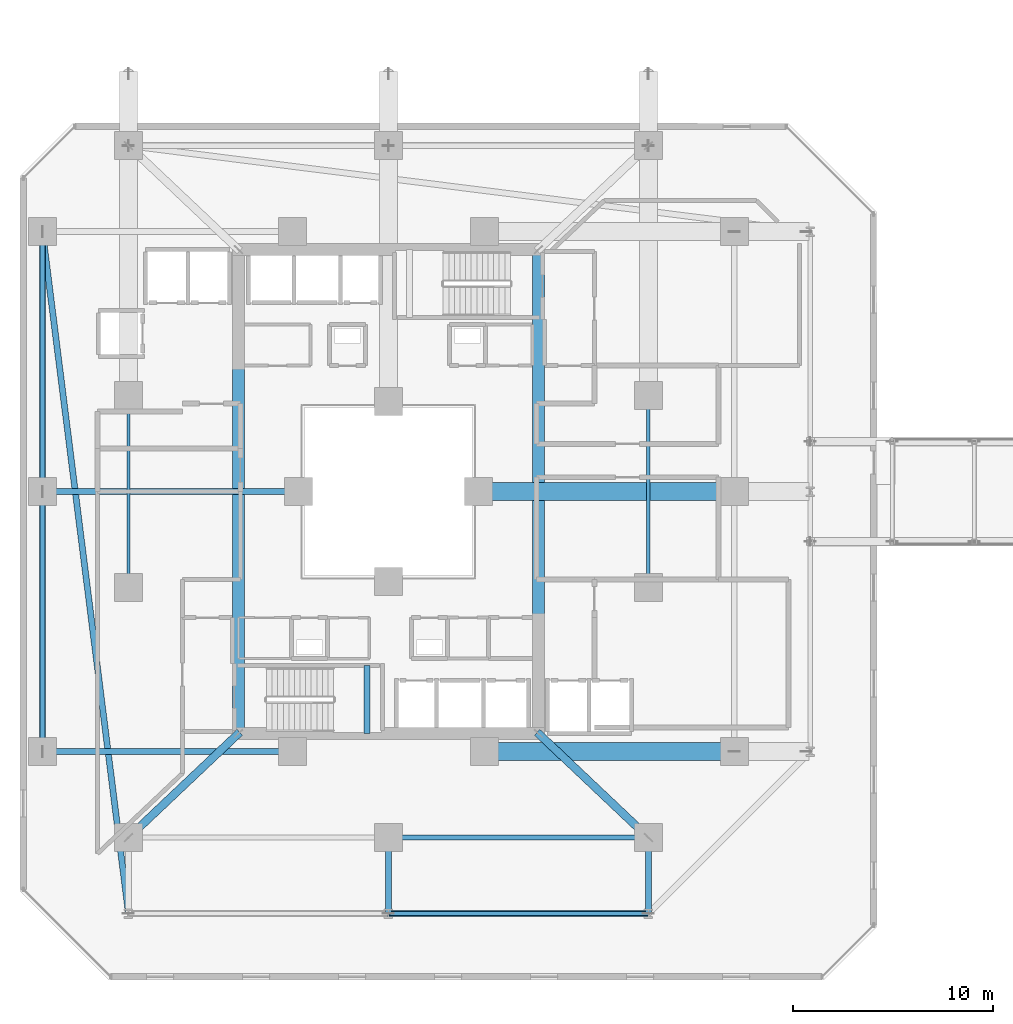
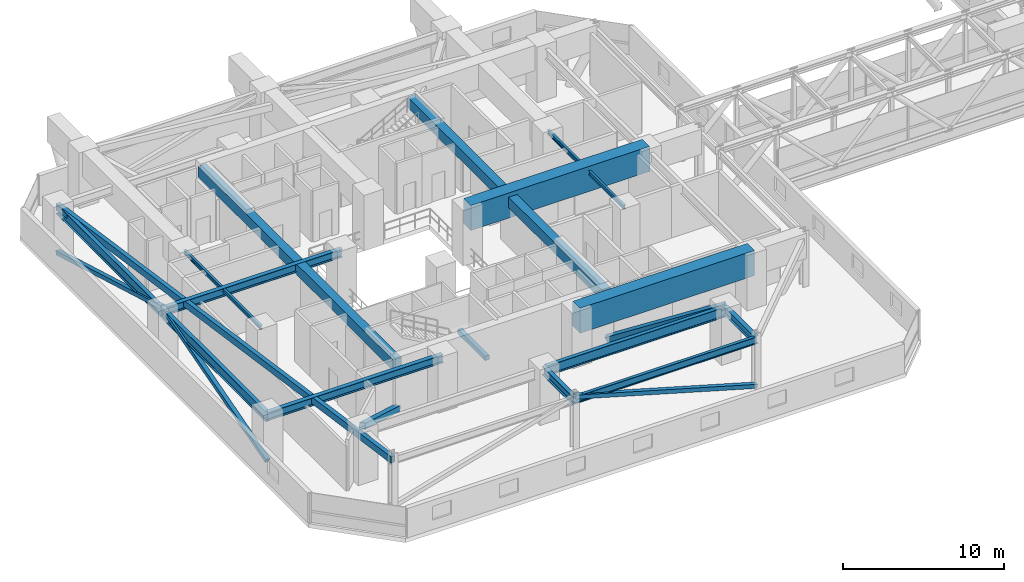
# One storey, part 4 of 38: 16 beams, 5 members.
"""IFC4 building model written with IfcOpenShell, lengths in metres."""

from ifc_helpers import new_model, si_unit, direction, frame, origin, origin_2d, place, context, subcontext, project, spatial, rectangle, hollow_rectangle, i_section, extrude, material, material_profile, profile_set, type_object, element, save


model = new_model("IFC4")

# Units and contexts
model_context = context("Model", 3, precision=1e-05, world=origin(), true_north=direction((0.0, 1.0)))
body_context = subcontext(model_context, "Body", "Model", "MODEL_VIEW")
ifc_project = project(units=[si_unit("LENGTHUNIT", "METRE"), si_unit("AREAUNIT", "SQUARE_METRE"), si_unit("VOLUMEUNIT", "CUBIC_METRE"), si_unit("PLANEANGLEUNIT", "RADIAN"), si_unit("MASSUNIT", "GRAM", prefix="KILO")], contexts=[model_context])

# Site, building, storey
site_placement = place(None, origin())
site = spatial("IfcSite", under=ifc_project, at=site_placement, CompositionType="ELEMENT")
building_placement = place(site_placement, origin())
building = spatial("IfcBuilding", under=site, at=building_placement, Name="Thornwick Lancets Civic Towers", CompositionType="ELEMENT")
storey_placement = place(building_placement, frame((0.0, 0.0, 71.699951171875)))
storey = spatial("IfcBuildingStorey", under=building, at=storey_placement, Name="L18", CompositionType="ELEMENT", Elevation=71.699951171875)

# Beams
ifc_material_1 = material(Name="Concrete C60/75", Category="concrete")
ifc_material_profile_1 = material_profile(ifc_material_1, rectangle(XDim=0.60009765625, YDim=0.800048828125, at=origin_2d()), Name="RC 600x800")
ifc_profile_set_1 = profile_set([ifc_material_profile_1], Name="Concrete C60/75")
beam_type_1 = type_object("IfcBeamType", Name="BM_COUP_RC800", PredefinedType="BEAM", material=ifc_profile_set_1)
for number, where, z_axis, x_axis, name in (
    (1, (33.0, 14.89990234375, 3.47998046875), (0.0, 1.0, 0.0), (-1.0, 0.0, 0.0), "CB-L18-A1"),
    (2, (18.0, 14.89990234375, 3.47998046875), (0.0, 1.0, 0.0), (-1.0, 0.0, 0.0), "CB-L18-A2"),
):
    element("IfcBeam", number, at=place(storey_placement, frame(where, z_axis=z_axis, x_axis=x_axis)), inside=storey, type_object=beam_type_1, Name=name, PredefinedType="BEAM", context=body_context, shape_type="SweptSolid", body=[
        extrude(rectangle(XDim=0.60009765625, YDim=0.800048828125, at=origin_2d()), origin(), (0.0, 0.0, 1.0), 24.2001953125),
    ])
ifc_material_2 = material(Name="Steel S355JR", Category="steel")
ifc_material_profile_2 = material_profile(ifc_material_2, i_section(OverallWidth=0.2119140625, OverallDepth=0.54443359375, WebThickness=0.0126953125, FlangeThickness=0.021240234375, FilletRadius=0.0126953125, at=origin_2d()), Name="UKB 533x210x122")
ifc_profile_set_2 = profile_set([ifc_material_profile_2], Name="Steel S355JR")
beam_type_2 = type_object("IfcBeamType", Name="BM_EDGE_533_122", PredefinedType="SPANDREL", material=ifc_profile_set_2)
beam_1_placement = place(storey_placement, frame((25.580078125, 5.89990234375, 3.607666015625), z_axis=(1.0, 0.0, 0.0), x_axis=(0.0, 1.0, 0.0)))
element("IfcBeam", 3, at=beam_1_placement, inside=storey, type_object=beam_type_2, Name="BM-EDGE-L18-A-S0-2", PredefinedType="SPANDREL", context=body_context, shape_type="SweptSolid", body=[
    extrude(i_section(OverallWidth=0.2119140625, OverallDepth=0.54443359375, WebThickness=0.0126953125, FlangeThickness=0.021240234375, FilletRadius=0.0126953125, at=origin_2d()), origin(), (0.0, 0.0, 1.0), 12.919921875),
])
ifc_material_profile_3 = material_profile(ifc_material_2, i_section(OverallWidth=0.30712890625, OverallDepth=0.6201171875, WebThickness=0.01416015625, FlangeThickness=0.023681640625, FilletRadius=0.0166015625, at=origin_2d()), Name="UKB 610x305x179")
ifc_profile_set_3 = profile_set([ifc_material_profile_3], Name="Steel S355JR")
beam_type_3 = type_object("IfcBeamType", Name="BM_GIRD_610_179", PredefinedType="BEAM", material=ifc_profile_set_3)
for number, where, z_axis, x_axis, name in (
    (4, (25.5, 9.699951171875, 3.570068359375), (0.0, -1.0, 0.0), (1.0, 0.0, 0.0), "BM-RAD-L18-A02"),
    (5, (38.5, 9.699951171875, 3.570068359375), (0.0, -1.0, 0.0), (1.0, 0.0, 0.0), "BM-RAD-L18-A03"),
):
    element("IfcBeam", number, at=place(storey_placement, frame(where, z_axis=z_axis, x_axis=x_axis)), inside=storey, type_object=beam_type_3, Name=name, PredefinedType="BEAM", context=body_context, shape_type="SweptSolid", body=[
        extrude(i_section(OverallWidth=0.30712890625, OverallDepth=0.6201171875, WebThickness=0.01416015625, FlangeThickness=0.023681640625, FilletRadius=0.0166015625, at=origin_2d()), origin(), (0.0, 0.0, 1.0), 3.800048828125),
    ])
beam_2_placement = place(storey_placement, frame((20.699951171875, 14.0, 3.570068359375), z_axis=(-1.0, 0.0, 0.0), x_axis=(0.0, -1.0, 0.0)))
element("IfcBeam", 6, at=beam_2_placement, inside=storey, type_object=beam_type_3, Name="BM-RADIN-L18-A10", PredefinedType="BEAM", context=body_context, shape_type="SweptSolid", body=[
    extrude(i_section(OverallWidth=0.30712890625, OverallDepth=0.6201171875, WebThickness=0.01416015625, FlangeThickness=0.023681640625, FilletRadius=0.0166015625, at=origin_2d()), origin(), (0.0, 0.0, 1.0), 12.5),
])
beam_3_placement = place(storey_placement, frame((21.0, 27.0, 3.570068359375), z_axis=(-1.0, 0.0, 0.0), x_axis=(0.0, -1.0, 0.0)))
element("IfcBeam", 7, at=beam_3_placement, inside=storey, type_object=beam_type_3, Name="BM-RADIN-L18-A11", PredefinedType="BEAM", context=body_context, shape_type="SweptSolid", body=[
    extrude(i_section(OverallWidth=0.30712890625, OverallDepth=0.6201171875, WebThickness=0.01416015625, FlangeThickness=0.023681640625, FilletRadius=0.0166015625, at=origin_2d()), origin(), (0.0, 0.0, 1.0), 12.800048828125),
])
ifc_material_profile_4 = material_profile(ifc_material_2, i_section(OverallWidth=0.26806640625, OverallDepth=0.769775390625, WebThickness=0.015625, FlangeThickness=0.025390625, FilletRadius=0.0166015625, at=origin_2d()), Name="UKB 762x267x197")
ifc_profile_set_4 = profile_set([ifc_material_profile_4], Name="Steel S355JR")
beam_type_4 = type_object("IfcBeamType", Name="BM_GIRD_762_197", PredefinedType="BEAM", material=ifc_profile_set_4)
beam_4_placement = place(storey_placement, frame((25.580078125, 9.699951171875, 3.4951171875), z_axis=(1.0, 0.0, 0.0), x_axis=(0.0, 1.0, 0.0)))
element("IfcBeam", 8, at=beam_4_placement, inside=storey, type_object=beam_type_4, Name="BM-SPINE-L18-A-1-2", PredefinedType="BEAM", context=body_context, shape_type="SweptSolid", body=[
    extrude(i_section(OverallWidth=0.26806640625, OverallDepth=0.769775390625, WebThickness=0.015625, FlangeThickness=0.025390625, FilletRadius=0.0166015625, at=origin_2d()), origin(), (0.0, 0.0, 1.0), 12.919921875),
])
beam_5_placement = place(storey_placement, frame((8.199951171875, 14.0, 3.4951171875), z_axis=(0.0, 1.0, 0.0), x_axis=(-1.0, 0.0, 0.0)))
element("IfcBeam", 9, at=beam_5_placement, inside=storey, type_object=beam_type_4, Name="BM-SPINE-L18-A-9-10", PredefinedType="BEAM", context=body_context, shape_type="SweptSolid", body=[
    extrude(i_section(OverallWidth=0.26806640625, OverallDepth=0.769775390625, WebThickness=0.015625, FlangeThickness=0.025390625, FilletRadius=0.0166015625, at=origin_2d()), origin(), (0.0, 0.0, 1.0), 13.0),
])
beam_6_placement = place(storey_placement, frame((8.199951171875, 27.080078125, 3.4951171875), z_axis=(0.0, 1.0, 0.0), x_axis=(-1.0, 0.0, 0.0)))
element("IfcBeam", 10, at=beam_6_placement, inside=storey, type_object=beam_type_4, Name="BM-SPINE-L18-A-10-11", PredefinedType="BEAM", context=body_context, shape_type="SweptSolid", body=[
    extrude(i_section(OverallWidth=0.26806640625, OverallDepth=0.769775390625, WebThickness=0.015625, FlangeThickness=0.025390625, FilletRadius=0.0166015625, at=origin_2d()), origin(), (0.0, 0.0, 1.0), 12.919921875),
])
ifc_material_profile_5 = material_profile(ifc_material_2, i_section(OverallWidth=0.1669921875, OverallDepth=0.310302734375, WebThickness=0.0078125, FlangeThickness=0.013671875, FilletRadius=0.0087890625, at=origin_2d()), Name="UKB 305x165x54")
ifc_profile_set_5 = profile_set([ifc_material_profile_5], Name="Steel S355JR")
beam_type_5 = type_object("IfcBeamType", Name="BM_LINTEL_305_54", PredefinedType="LINTEL", material=ifc_profile_set_5)
for number, where, z_axis, x_axis, name in (
    (11, (12.5, 22.199951171875, 3.724853515625), (0.0, 1.0, 0.0), (-1.0, 0.0, 0.0), "BM-INSP-L18-A-0-2"),
    (12, (38.5, 22.199951171875, 3.724853515625), (0.0, 1.0, 0.0), (-1.0, 0.0, 0.0), "BM-INSP-L18-A-1-3"),
):
    element("IfcBeam", number, at=place(storey_placement, frame(where, z_axis=z_axis, x_axis=x_axis)), inside=storey, type_object=beam_type_5, Name=name, PredefinedType="LINTEL", context=body_context, shape_type="SweptSolid", body=[
        extrude(i_section(OverallWidth=0.1669921875, OverallDepth=0.310302734375, WebThickness=0.0078125, FlangeThickness=0.013671875, FilletRadius=0.0087890625, at=origin_2d()), origin(), (0.0, 0.0, 1.0), 9.52001953125),
    ])
ifc_material_3 = material(Name="Steel S460M", Category="steel")
ifc_material_profile_6 = material_profile(ifc_material_3, hollow_rectangle(XDim=0.300048828125, YDim=0.5, WallThickness=0.02001953125, at=origin_2d()), Name="RHS 500x300x20")
ifc_profile_set_6 = profile_set([ifc_material_profile_6], Name="Steel S460M")
beam_type_6 = type_object("IfcBeamType", Name="BM_RING_RHS500", PredefinedType="BEAM", material=ifc_profile_set_6)
beam_7_placement = place(storey_placement, frame((8.199951171875, 40.0, 3.630126953125), z_axis=(0.12510998836, -0.992142878225, 0.0), x_axis=(0.992142878225, 0.12510998836, 0.0)))
element("IfcBeam", 13, at=beam_7_placement, inside=storey, type_object=beam_type_6, Name="BM-CHAMF-L18-A-C3", PredefinedType="BEAM", context=body_context, shape_type="SweptSolid", body=[
    extrude(hollow_rectangle(XDim=0.300048828125, YDim=0.5, WallThickness=0.02001953125, at=origin_2d()), origin(), (0.0, 0.0, 1.0), 34.3701171875),
])
ifc_material_4 = material(Name="Concrete C40/50", Category="concrete")
ifc_material_profile_7 = material_profile(ifc_material_4, rectangle(XDim=0.300048828125, YDim=0.35009765625, at=origin_2d()), Name="RC 300x350")
ifc_profile_set_7 = profile_set([ifc_material_profile_7], Name="Concrete C40/50")
beam_type_7 = type_object("IfcBeamType", Name="BM_STAIR_LDG", PredefinedType="BEAM", material=ifc_profile_set_7)
beam_8_placement = place(storey_placement, frame((24.43505859375, 14.89990234375, 1.677978515625), z_axis=(0.0, 1.0, 0.0), x_axis=(-1.0, 0.0, 0.0)))
element("IfcBeam", 14, at=beam_8_placement, inside=storey, type_object=beam_type_7, Name="L18 ST-A1 Landing Support Beam 1", PredefinedType="BEAM", context=body_context, shape_type="SweptSolid", body=[
    extrude(rectangle(XDim=0.300048828125, YDim=0.35009765625, at=origin_2d()), origin(), (0.0, 0.0, 1.0), 3.400146484375),
])
ifc_material_profile_8 = material_profile(ifc_material_1, rectangle(XDim=0.89990234375, YDim=1.89990234375, at=origin_2d()), Name="RC 900x1900")
ifc_profile_set_8 = profile_set([ifc_material_profile_8], Name="Concrete C60/75")
beam_type_8 = type_object("IfcBeamType", Name="BM_TR_RC1900", PredefinedType="BEAM", material=ifc_profile_set_8)
beam_9_placement = place(storey_placement, frame((30.300048828125, 14.0, 3.25), z_axis=(1.0, 0.0, 0.0), x_axis=(0.0, 1.0, 0.0)))
element("IfcBeam", 15, at=beam_9_placement, inside=storey, type_object=beam_type_8, Name="TG-BACK-L19-A04", PredefinedType="BEAM", context=body_context, shape_type="SweptSolid", body=[
    extrude(rectangle(XDim=0.89990234375, YDim=1.89990234375, at=origin_2d()), origin(), (0.0, 0.0, 1.0), 12.5),
])
beam_10_placement = place(storey_placement, frame((30.0, 27.0, 3.25), z_axis=(1.0, 0.0, 0.0), x_axis=(0.0, 1.0, 0.0)))
element("IfcBeam", 16, at=beam_10_placement, inside=storey, type_object=beam_type_8, Name="TG-BACK-L19-A05", PredefinedType="BEAM", context=body_context, shape_type="SweptSolid", body=[
    extrude(rectangle(XDim=0.89990234375, YDim=1.89990234375, at=origin_2d()), origin(), (0.0, 0.0, 1.0), 12.800048828125),
])

# Members
ifc_material_profile_9 = material_profile(ifc_material_3, hollow_rectangle(XDim=0.300048828125, YDim=0.300048828125, WallThickness=0.01611328125, at=origin_2d()), Name="SHS 300x300x16")
ifc_profile_set_9 = profile_set([ifc_material_profile_9], Name="Steel S460M")
member_type_1 = type_object("IfcMemberType", Name="MEM_BELT_SHS300", PredefinedType="BRACE", material=ifc_profile_set_9)
for number, where, z_axis, x_axis, name in (
    (17, (38.5, 5.89990234375, 0.150146484375), (-0.961216810803, 0.0, 0.27579384081), (0.0, -1.0, 0.0), "L18 Belt Truss Diagonal A-S0-2"),
    (18, (8.199951171875, 14.0, 0.150146484375), (0.0, 0.961216810803, 0.27579384081), (-1.0, 0.0, 0.0), "L18 Belt Truss Diagonal A-S3-1"),
    (19, (8.199951171875, 40.0, 0.150146484375), (0.0, -0.961216810803, 0.27579384081), (1.0, 0.0, 0.0), "L18 Belt Truss Diagonal A-S3-2"),
):
    element("IfcMember", number, at=place(storey_placement, frame(where, z_axis=z_axis, x_axis=x_axis)), inside=storey, type_object=member_type_1, Name=name, PredefinedType="BRACE", context=body_context, shape_type="SweptSolid", body=[
        extrude(hollow_rectangle(XDim=0.300048828125, YDim=0.300048828125, WallThickness=0.01611328125, at=origin_2d()), origin(), (0.0, 0.0, 1.0), 13.5244140625),
    ])
ifc_material_profile_10 = material_profile(ifc_material_3, hollow_rectangle(XDim=0.39990234375, YDim=0.39990234375, WallThickness=0.02001953125, at=origin_2d()), Name="SHS 400x400x20")
ifc_profile_set_10 = profile_set([ifc_material_profile_10], Name="Steel S460M")
member_type_2 = type_object("IfcMemberType", Name="MEM_OUTRIG_SHS400", PredefinedType="BRACE", material=ifc_profile_set_10)
for number, where, z_axis, x_axis, name in (
    (20, (33.0, 14.89990234375, 0.150146484375), (0.651802229136, -0.616243593678, 0.442038106212), (0.687007976126, 0.726649874932, 0.0), "L18 Outrigger Brace A-1"),
    (21, (18.0, 14.89990234375, 0.150146484375), (-0.651802229136, -0.616243593678, 0.442038106212), (0.687007976126, -0.726649874932, 0.0), "L18 Outrigger Brace A-2"),
):
    element("IfcMember", number, at=place(storey_placement, frame(where, z_axis=z_axis, x_axis=x_axis)), inside=storey, type_object=member_type_2, Name=name, PredefinedType="BRACE", context=body_context, shape_type="SweptSolid", body=[
        extrude(hollow_rectangle(XDim=0.39990234375, YDim=0.39990234375, WallThickness=0.02001953125, at=origin_2d()), origin(), (0.0, 0.0, 1.0), 8.438232421875),
    ])

save(model, "model.ifc")
